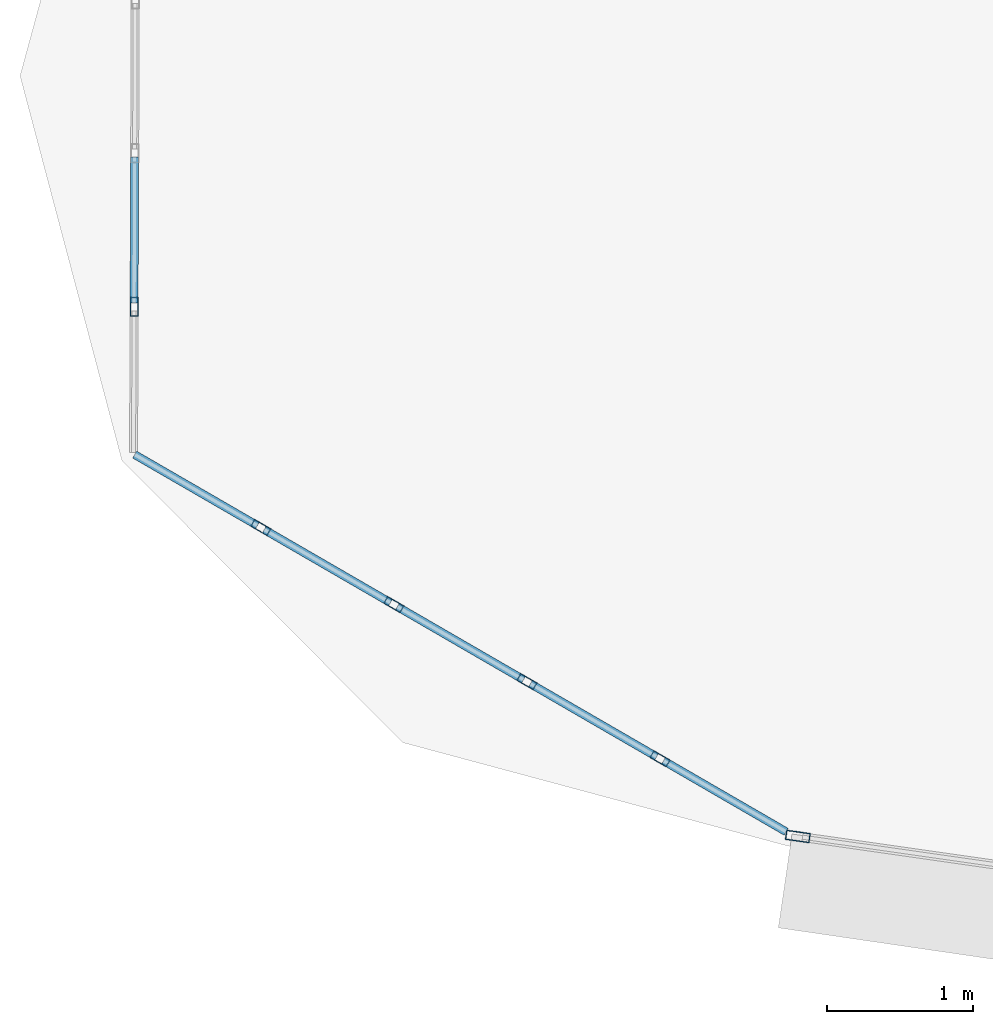
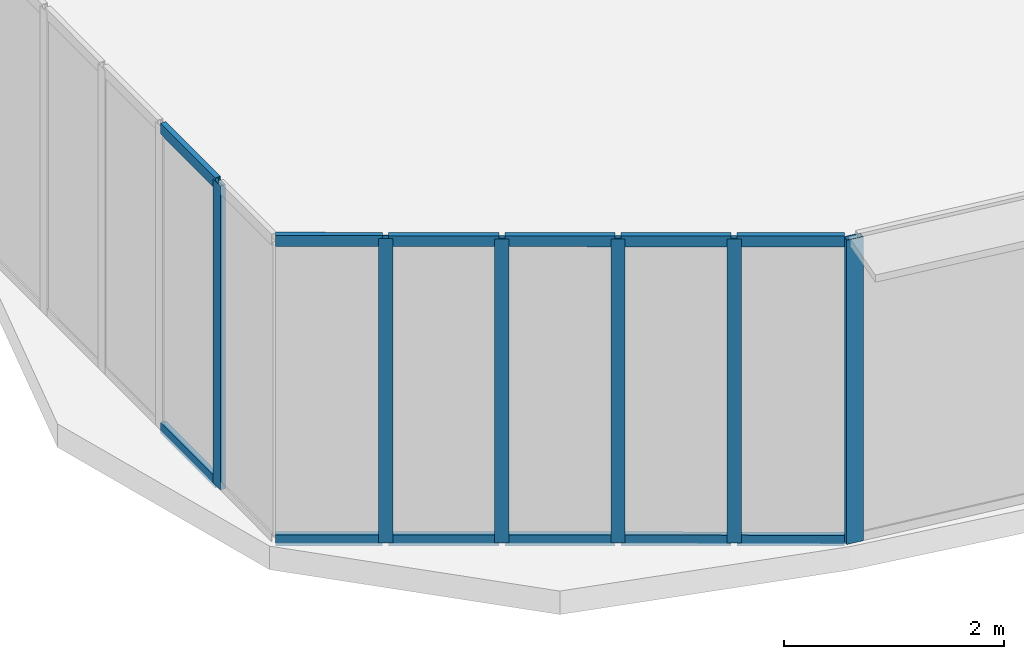
# One storey, part 2 of 41: 18 members, 3 elements without a shape of their own.
"""IFC4 building model written with IfcOpenShell, lengths in metres."""

import ifcopenshell
import ifcopenshell.guid

model = None  # the IFC model being written
_history = None  # IfcOwnerHistory: only IFC2X3 demands one
_inside = {}  # id of a spatial element -> (the spatial element, [elements in it])
_under = {}  # id of a project, library or spatial element -> (it, [spatial elements below it])
_declared = {}  # id of a project -> (the project, [libraries it declares])
_typed = {}  # id of a type object -> (the type object, [elements of that type])
_made_of = {}  # id of a material, layer set ... -> (it, [elements and type objects made of it])


def new_model(schema):
    """Start an empty IFC model of exactly this schema.

    Asked for "IFC4X3", IfcOpenShell would pick the latest addendum, in which some entities
    have other attributes; the version numbers below select the first issue.
    IFC2X3 requires an IfcOwnerHistory on every rooted entity: one is made here for all.
    """
    global model, _history
    if schema == "IFC4X3":
        model = ifcopenshell.file(schema_version=(4, 3, 0, 0))
    else:
        model = ifcopenshell.file(schema=schema)
    _inside.clear()
    _under.clear()
    _declared.clear()
    _typed.clear()
    _made_of.clear()
    _history = None
    if model.schema == "IFC2X3":
        org = make("IfcOrganization", Name="unknown")
        user = make(
            "IfcPersonAndOrganization",
            ThePerson=make("IfcPerson", FamilyName="unknown"),
            TheOrganization=org,
        )
        app = make(
            "IfcApplication",
            ApplicationDeveloper=org,
            Version="unknown",
            ApplicationFullName="unknown",
            ApplicationIdentifier="unknown",
        )
        _history = make(
            "IfcOwnerHistory",
            OwningUser=user,
            OwningApplication=app,
            ChangeAction="ADDED",
            CreationDate=0,
        )
    return model


def make(cls, **values):
    """One entity of the class cls with the attributes given. An attribute that is None is left unset."""
    return model.create_entity(
        cls, **{name: value for name, value in values.items() if value is not None}
    )


def rooted(cls, **values):
    """An entity with a GlobalId (a new one), such as an element, a storey or a relation."""
    return make(cls, GlobalId=ifcopenshell.guid.new(), OwnerHistory=_history, **values)


def si_unit(unit_type, name, prefix=None):
    """IfcSIUnit, for example si_unit("LENGTHUNIT", "METRE", prefix="MILLI")."""
    return make("IfcSIUnit", UnitType=unit_type, Prefix=prefix, Name=name)


def assignment(units):
    """IfcUnitAssignment: the units of a project."""
    return None if units is None else make("IfcUnitAssignment", Units=units)


def point(xyz):
    """IfcCartesianPoint."""
    return None if xyz is None else make("IfcCartesianPoint", Coordinates=xyz)


def direction(xyz):
    """IfcDirection."""
    return None if xyz is None else make("IfcDirection", DirectionRatios=xyz)


def frame(location, z_axis=None, x_axis=None):
    """IfcAxis2Placement3D, a coordinate frame: its origin and axes. An axis left out is left unset."""
    return make(
        "IfcAxis2Placement3D",
        Location=point(location),
        Axis=direction(z_axis),
        RefDirection=direction(x_axis),
    )


def frame_2d(location, x_axis=None):
    """IfcAxis2Placement2D, a coordinate frame in the plane: its origin and x axis."""
    return make(
        "IfcAxis2Placement2D", Location=point(location), RefDirection=direction(x_axis)
    )


def origin():
    """The frame at (0, 0, 0) with its axes left unset."""
    return frame((0.0, 0.0, 0.0))


def origin_2d():
    """The frame at (0, 0) in the plane with its x axis left unset."""
    return frame_2d((0.0, 0.0))


def place(relative_to, where):
    """IfcLocalPlacement: puts the frame where relative to a parent placement (None: the world)."""
    return make(
        "IfcLocalPlacement", PlacementRelTo=relative_to, RelativePlacement=where
    )


def context(
    kind, dimensions, precision=None, world=None, true_north=None, identifier=None
):
    """IfcGeometricRepresentationContext, for example the 3D "Model" context."""
    return make(
        "IfcGeometricRepresentationContext",
        ContextIdentifier=identifier,
        ContextType=kind,
        CoordinateSpaceDimension=dimensions,
        Precision=precision,
        WorldCoordinateSystem=world,
        TrueNorth=true_north,
    )


def subcontext(parent, identifier, kind, view, scale=None):
    """IfcGeometricRepresentationSubContext, for example "Body" below "Model"."""
    return make(
        "IfcGeometricRepresentationSubContext",
        ContextIdentifier=identifier,
        ContextType=kind,
        ParentContext=parent,
        TargetScale=scale,
        TargetView=view,
    )


def project(units=None, contexts=None):
    """IfcProject with its units and contexts."""
    return rooted(
        "IfcProject",
        Name="project",
        RepresentationContexts=contexts,
        UnitsInContext=assignment(units),
    )


def spatial(cls, under=None, at=None, **own):
    """A site, building, storey or space (cls), placed at a placement, below another one or the project."""
    s = rooted(cls, ObjectPlacement=at, **own)
    if under is not None:
        _under.setdefault(under.id(), (under, []))[1].append(s)
    return s


def profile(cls, at=None, kind="AREA", **sizes):
    """A parametric profile (cls). Its sizes go by their IFC names, for example OverallWidth=200.0."""
    return make(cls, ProfileType=kind, Position=at, **sizes)


def hollow_rectangle(**sizes):
    """IfcRectangleHollowProfileDef."""
    return profile("IfcRectangleHollowProfileDef", **sizes)


def extrude(swept, where, along, depth):
    """IfcExtrudedAreaSolid: the profile swept, set in the frame where, extruded along a direction by depth."""
    return make(
        "IfcExtrudedAreaSolid",
        SweptArea=swept,
        Position=where,
        ExtrudedDirection=direction(along),
        Depth=depth,
    )


def shape(context_of_items, identifier, shape_type, items):
    """IfcShapeRepresentation: the items that make up one representation, for example the "Body"."""
    return make(
        "IfcShapeRepresentation",
        ContextOfItems=context_of_items,
        RepresentationIdentifier=identifier,
        RepresentationType=shape_type,
        Items=items,
    )


def source(mapping_origin, context_of_items, identifier, shape_type, items):
    """IfcRepresentationMap: a shape defined once, which mapped items show again and again."""
    return make(
        "IfcRepresentationMap",
        MappingOrigin=mapping_origin,
        MappedRepresentation=shape(context_of_items, identifier, shape_type, items),
    )


def transform(
    local_origin,
    x_axis=None,
    y_axis=None,
    z_axis=None,
    scale=None,
    scale2=None,
    scale3=None,
    uniform=True,
):
    """IfcCartesianTransformationOperator3D, or its non-uniform kind. x_axis, y_axis, z_axis: its Axis1, 2, 3."""
    if uniform:
        return make(
            "IfcCartesianTransformationOperator3D",
            Axis1=direction(x_axis),
            Axis2=direction(y_axis),
            LocalOrigin=point(local_origin),
            Scale=scale,
            Axis3=direction(z_axis),
        )
    return make(
        "IfcCartesianTransformationOperator3DnonUniform",
        Axis1=direction(x_axis),
        Axis2=direction(y_axis),
        LocalOrigin=point(local_origin),
        Scale=scale,
        Axis3=direction(z_axis),
        Scale2=scale2,
        Scale3=scale3,
    )


def mapped(mapping_source, mapping_target):
    """IfcMappedItem: shows the shape of a source again, moved by a transform."""
    return make(
        "IfcMappedItem", MappingSource=mapping_source, MappingTarget=mapping_target
    )


def material(Name=None, Category=None):
    """IfcMaterial."""
    return make("IfcMaterial", Name=Name, Category=Category)


def layer(
    of_material, thickness, ventilated=None, Name=None, Category=None, Priority=None
):
    """IfcMaterialLayer: one layer of a wall or slab, of a material (None: an air gap)."""
    return make(
        "IfcMaterialLayer",
        Material=of_material,
        LayerThickness=thickness,
        IsVentilated=ventilated,
        Name=Name,
        Category=Category,
        Priority=Priority,
    )


def layer_set(layers, Name=None):
    """IfcMaterialLayerSet."""
    return make("IfcMaterialLayerSet", MaterialLayers=layers, LayerSetName=Name)


def material_profile(
    of_material, cross_section, Name=None, Category=None, Priority=None
):
    """IfcMaterialProfile: a cross section and its material."""
    return make(
        "IfcMaterialProfile",
        Name=Name,
        Material=of_material,
        Profile=cross_section,
        Priority=Priority,
        Category=Category,
    )


def profile_set(profiles, Name=None, composite=None):
    """IfcMaterialProfileSet."""
    return make(
        "IfcMaterialProfileSet",
        Name=Name,
        MaterialProfiles=profiles,
        CompositeProfile=composite,
    )


def made_of(thing, what):
    """Note that an element or type object is made of a material, layer set ...; save() writes the relation."""
    if what is not None:
        _made_of.setdefault(what.id(), (what, []))[1].append(thing)
    return thing


def type_object(cls, material=None, **own):
    """A type object (cls), such as IfcWallType, which elements share."""
    return made_of(rooted(cls, **own), material)


def element(
    cls,
    number,
    at=None,
    inside=None,
    cuts=None,
    type_object=None,
    material=None,
    context=None,
    identifier="Body",
    shape_type=None,
    held_by="IfcProductDefinitionShape",
    body=None,
    shapes=None,
    **own,
):
    """One element of the class cls, such as IfcWall. Its Tag is "e" and its number.

    at: its placement. inside: the storey or other place that contains it. cuts: it is an
    opening in that element (IfcRelVoidsElement). A single representation is given by context,
    identifier, shape_type and body (its items); several are given by shapes. held_by: the class
    of the entity that holds the representations. save() writes the other relations.
    """
    e = rooted(cls, Tag="e%d" % number, ObjectPlacement=at, **own)
    if body is not None:
        shapes = [shape(context, identifier, shape_type, body)]
    if shapes is not None:
        e.Representation = make(held_by, Representations=shapes)
    if inside is not None:
        _inside.setdefault(inside.id(), (inside, []))[1].append(e)
    if cuts is not None:
        rooted(
            "IfcRelVoidsElement", RelatingBuildingElement=cuts, RelatedOpeningElement=e
        )
    if type_object is not None:
        _typed.setdefault(type_object.id(), (type_object, []))[1].append(e)
    return made_of(e, material)


def aggregate(whole, parts):
    """IfcRelAggregates: a whole, such as a stair, and the parts it consists of."""
    return rooted("IfcRelAggregates", RelatingObject=whole, RelatedObjects=parts)


def save(model, path):
    """Write the relations noted so far, then the file.

    IfcRelAggregates (storeys below a building ...), IfcRelContainedInSpatialStructure (elements
    in a storey), IfcRelDefinesByType, IfcRelAssociatesMaterial and IfcRelDeclares: one each for
    every whole, place, type object, material and project.
    """
    for whole, parts in _under.values():
        aggregate(whole, parts)
    for where, things in _inside.values():
        rooted(
            "IfcRelContainedInSpatialStructure",
            RelatedElements=things,
            RelatingStructure=where,
        )
    for kind, things in _typed.values():
        rooted("IfcRelDefinesByType", RelatedObjects=things, RelatingType=kind)
    for what, things in _made_of.values():
        rooted("IfcRelAssociatesMaterial", RelatedObjects=things, RelatingMaterial=what)
    for by, libraries in _declared.values():
        rooted("IfcRelDeclares", RelatingContext=by, RelatedDefinitions=libraries)
    model.write(path)


model = new_model("IFC4")

# Units and contexts
model_context = context("Model", 3, precision=1e-05, world=origin(), true_north=direction((0.0, 1.0)))
body_context = subcontext(model_context, "Body", "Model", "MODEL_VIEW")
ifc_project = project(units=[si_unit("LENGTHUNIT", "METRE"), si_unit("AREAUNIT", "SQUARE_METRE"), si_unit("VOLUMEUNIT", "CUBIC_METRE"), si_unit("PLANEANGLEUNIT", "RADIAN"), si_unit("MASSUNIT", "GRAM", prefix="KILO"), si_unit("THERMODYNAMICTEMPERATUREUNIT", "KELVIN"), si_unit("POWERUNIT", "WATT")], contexts=[model_context])

# Site, building, storey
site_placement = place(None, origin())
site = spatial("IfcSite", under=ifc_project, at=site_placement, CompositionType="ELEMENT")
building_placement = place(site_placement, origin())
building = spatial("IfcBuilding", under=site, at=building_placement, Name="Yunzhuo Pagoda Commons", CompositionType="ELEMENT")
storey_placement = place(building_placement, frame((0.0, 0.0, 63.070068359375)))
storey = spatial("IfcBuildingStorey", under=building, at=storey_placement, Name="L16", CompositionType="ELEMENT", Elevation=63.070068359375)

# Curtain wall, member
ifc_material = material(Name="Anodized aluminium 6063-T6", Category="aluminium")
ifc_layer_1 = layer(ifc_material, 0.1650390625)
ifc_layer_set_1 = layer_set([ifc_layer_1], Name="Anodized aluminium 6063-T6")
curtain_wall_type_1 = type_object("IfcCurtainWallType", Name="CW-LOW Low-Zone Ribbon Curtain Wall", PredefinedType="NOTDEFINED", material=ifc_layer_set_1)
curtain_wall_1_placement = place(storey_placement, origin())
curtain_wall_1 = element("IfcCurtainWall", 1, at=curtain_wall_1_placement, inside=storey, type_object=curtain_wall_type_1, Name="L16 curtain wall CW-L16-F1B1", PredefinedType="NOTDEFINED")
ifc_material_profile_1 = material_profile(ifc_material, hollow_rectangle(XDim=0.06494140625, YDim=0.1650390625, WallThickness=0.00390625, at=origin_2d()), Name="Anodized aluminium 6063-T6")
ifc_profile_set_1 = profile_set([ifc_material_profile_1], Name="Anodized aluminium 6063-T6")
member_type_1 = type_object("IfcMemberType", Name="CW-LOW-M Mullion RHS 165x65x4", PredefinedType="MULLION", material=ifc_profile_set_1)
shared_shape_1 = source(origin(), body_context, "Body", "SweptSolid", [
    extrude(hollow_rectangle(XDim=0.06494140625, YDim=0.1650390625, WallThickness=0.00390625, at=origin_2d()), origin(), (0.0, 0.0, 1.0), 3.369873046875),
])
member_1_placement = place(storey_placement, frame((10.0380859375, 14.861083984375, 0.0), z_axis=(0.0, 0.0, 1.0), x_axis=(0.141139872999, 0.989989664719, 0.0)))
member_1 = element("IfcMember", 2, at=member_1_placement, type_object=member_type_1, Name="CW mullion 1", PredefinedType="MULLION", context=body_context, shape_type="MappedRepresentation", body=[
    mapped(shared_shape_1, transform((0.0, 0.0, 0.0), scale=1.0)),
])
aggregate(curtain_wall_1, [member_1])

ifc_layer_2 = layer(ifc_material, 0.1298828125)
ifc_layer_set_2 = layer_set([ifc_layer_2], Name="Anodized aluminium 6063-T6")
curtain_wall_type_2 = type_object("IfcCurtainWallType", Name="CW-VTX Rounded Corner Curtain Wall", PredefinedType="NOTDEFINED", material=ifc_layer_set_2)
curtain_wall_2_placement = place(storey_placement, origin())
curtain_wall_2 = element("IfcCurtainWall", 3, at=curtain_wall_2_placement, inside=storey, type_object=curtain_wall_type_2, Name="L16 curtain wall CW-L16-VTX1S1", PredefinedType="NOTDEFINED")
ifc_material_profile_2 = material_profile(ifc_material, hollow_rectangle(XDim=0.054931640625, YDim=0.1298828125, WallThickness=0.00341796875, at=origin_2d()), Name="Anodized aluminium 6063-T6")
ifc_profile_set_2 = profile_set([ifc_material_profile_2], Name="Anodized aluminium 6063-T6")
member_type_2 = type_object("IfcMemberType", Name="CW-VTX-M Mullion RHS 130x55x3.5", PredefinedType="MULLION", material=ifc_profile_set_2)
shared_shape_2 = source(origin(), body_context, "Body", "SweptSolid", [
    extrude(hollow_rectangle(XDim=0.054931640625, YDim=0.1298828125, WallThickness=0.00341796875, at=origin_2d()), origin(), (0.0, 0.0, 1.0), 3.369873046875),
])
member_2_placement = place(storey_placement, frame((5.48779296875, 18.4912109375, 0.0), z_axis=(0.0, 0.0, 1.0), x_axis=(0.999993571837, -0.003585566294, 0.0)))
member_2 = element("IfcMember", 4, at=member_2_placement, type_object=member_type_2, Name="CW mullion 5", PredefinedType="MULLION", context=body_context, shape_type="MappedRepresentation", body=[
    mapped(shared_shape_2, transform((0.0, 0.0, 0.0), scale=1.0)),
])

# Curtain wall, members
curtain_wall_3_placement = place(storey_placement, origin())
curtain_wall_3 = element("IfcCurtainWall", 5, at=curtain_wall_3_placement, inside=storey, type_object=curtain_wall_type_2, Name="L16 curtain wall CW-L16-VTX1S2", PredefinedType="NOTDEFINED")
member_3_placement = place(storey_placement, frame((6.3564453125, 16.978515625, 0.0), z_axis=(0.0, 0.0, 1.0), x_axis=(0.501038514064, 0.865424986596, 0.0)))
member_3 = element("IfcMember", 6, at=member_3_placement, type_object=member_type_2, Name="CW mullion 2", PredefinedType="MULLION", context=body_context, shape_type="MappedRepresentation", body=[
    mapped(shared_shape_2, transform((0.0, 0.0, 0.0), scale=1.0)),
])
member_4_placement = place(storey_placement, frame((7.268798828125, 16.4501953125, 0.0), z_axis=(0.0, 0.0, 1.0), x_axis=(0.501038514064, 0.865424986596, 0.0)))
member_4 = element("IfcMember", 7, at=member_4_placement, type_object=member_type_2, Name="CW mullion 3", PredefinedType="MULLION", context=body_context, shape_type="MappedRepresentation", body=[
    mapped(shared_shape_2, transform((0.0, 0.0, 0.0), scale=1.0)),
])
member_5_placement = place(storey_placement, frame((8.18115234375, 15.922119140625, 0.0), z_axis=(0.0, 0.0, 1.0), x_axis=(0.501038514064, 0.865424986596, 0.0)))
member_5 = element("IfcMember", 8, at=member_5_placement, type_object=member_type_2, Name="CW mullion 4", PredefinedType="MULLION", context=body_context, shape_type="MappedRepresentation", body=[
    mapped(shared_shape_2, transform((0.0, 0.0, 0.0), scale=1.0)),
])
member_6_placement = place(storey_placement, frame((9.093505859375, 15.393798828125, 0.0), z_axis=(0.0, 0.0, 1.0), x_axis=(0.501038514064, 0.865424986596, 0.0)))
member_6 = element("IfcMember", 9, at=member_6_placement, type_object=member_type_2, Name="CW mullion 5", PredefinedType="MULLION", context=body_context, shape_type="MappedRepresentation", body=[
    mapped(shared_shape_2, transform((0.0, 0.0, 0.0), scale=1.0)),
])
ifc_material_profile_3 = material_profile(ifc_material, hollow_rectangle(XDim=0.054931640625, YDim=0.1201171875, WallThickness=0.00341796875, at=origin_2d()), Name="Anodized aluminium 6063-T6")
ifc_profile_set_3 = profile_set([ifc_material_profile_3], Name="Anodized aluminium 6063-T6")
member_type_3 = type_object("IfcMemberType", Name="CW-VTX-T Transom RHS 120x55x3.5", PredefinedType="USERDEFINED", material=ifc_profile_set_3)
shared_shape_3 = source(origin(), body_context, "Body", "SweptSolid", [
    extrude(hollow_rectangle(XDim=0.054931640625, YDim=0.1201171875, WallThickness=0.00341796875, at=origin_2d()), origin(), (0.0, 0.0, 1.0), 0.9716796875),
])
member_7_placement = place(storey_placement, frame((5.49169921875, 17.47900390625, 0.02734375), z_axis=(0.865586796506, -0.500758921752, 0.0), x_axis=(0.500758921752, 0.865586796506, 0.0)))
member_7 = element("IfcMember", 10, at=member_7_placement, type_object=member_type_3, Name="CW transom 1.1", ObjectType="TRANSOM", PredefinedType="USERDEFINED", context=body_context, shape_type="MappedRepresentation", body=[
    mapped(shared_shape_3, transform((0.0, 0.0, 0.0), scale=1.0)),
])
member_8_placement = place(storey_placement, frame((5.49169921875, 17.47900390625, 3.342529296875), z_axis=(0.865586796506, -0.500758921752, 0.0), x_axis=(0.500758921752, 0.865586796506, 0.0)))
member_8 = element("IfcMember", 11, at=member_8_placement, type_object=member_type_3, Name="CW transom 1.2", ObjectType="TRANSOM", PredefinedType="USERDEFINED", context=body_context, shape_type="MappedRepresentation", body=[
    mapped(shared_shape_3, transform((0.0, 0.0, 0.0), scale=1.0)),
])
member_9_placement = place(storey_placement, frame((9.117431640625, 15.380126953125, 0.02734375), z_axis=(0.865305848027, -0.501244241235, 0.0), x_axis=(0.501244241235, 0.865305848027, 0.0)))
member_9 = element("IfcMember", 12, at=member_9_placement, type_object=member_type_3, Name="CW transom 5.1", ObjectType="TRANSOM", PredefinedType="USERDEFINED", context=body_context, shape_type="MappedRepresentation", body=[
    mapped(shared_shape_3, transform((0.0, 0.0, 0.0), scale=1.0)),
])
member_10_placement = place(storey_placement, frame((9.117431640625, 15.380126953125, 3.342529296875), z_axis=(0.865305848027, -0.501244241235, 0.0), x_axis=(0.501244241235, 0.865305848027, 0.0)))
member_10 = element("IfcMember", 13, at=member_10_placement, type_object=member_type_3, Name="CW transom 5.2", ObjectType="TRANSOM", PredefinedType="USERDEFINED", context=body_context, shape_type="MappedRepresentation", body=[
    mapped(shared_shape_3, transform((0.0, 0.0, 0.0), scale=1.0)),
])

# Member
shared_shape_4 = source(origin(), body_context, "Body", "SweptSolid", [
    extrude(hollow_rectangle(XDim=0.054931640625, YDim=0.1201171875, WallThickness=0.00341796875, at=origin_2d()), origin(), (0.0, 0.0, 1.0), 0.999267578125),
])
member_11_placement = place(storey_placement, frame((5.491455078125, 19.51806640625, 0.02734375), z_axis=(-0.00366476894, -0.999993284712, 0.0), x_axis=(0.999993284712, -0.00366476894, 0.0)))
member_11 = element("IfcMember", 14, at=member_11_placement, type_object=member_type_3, Name="CW transom 4.1", ObjectType="TRANSOM", PredefinedType="USERDEFINED", context=body_context, shape_type="MappedRepresentation", body=[
    mapped(shared_shape_4, transform((0.0, 0.0, 0.0), scale=1.0)),
])

member_12_placement = place(storey_placement, frame((5.491455078125, 19.51806640625, 3.342529296875), z_axis=(-0.00366476894, -0.999993284712, 0.0), x_axis=(0.999993284712, -0.00366476894, 0.0)))
member_12 = element("IfcMember", 15, at=member_12_placement, type_object=member_type_3, Name="CW transom 4.2", ObjectType="TRANSOM", PredefinedType="USERDEFINED", context=body_context, shape_type="MappedRepresentation", body=[
    mapped(shared_shape_4, transform((0.0, 0.0, 0.0), scale=1.0)),
])

aggregate(curtain_wall_2, [member_2, member_11, member_12])

member_13_placement = place(storey_placement, frame((6.380126953125, 16.964599609375, 0.02734375), z_axis=(0.86538725222, -0.501103685574, 0.0), x_axis=(0.501103685574, 0.86538725222, 0.0)))
member_13 = element("IfcMember", 16, at=member_13_placement, type_object=member_type_3, Name="CW transom 2.1", ObjectType="TRANSOM", PredefinedType="USERDEFINED", context=body_context, shape_type="MappedRepresentation", body=[
    mapped(shared_shape_4, transform((0.0, 0.0, 0.0), scale=1.0)),
])

member_14_placement = place(storey_placement, frame((6.380126953125, 16.964599609375, 3.342529296875), z_axis=(0.86538725222, -0.501103685574, 0.0), x_axis=(0.501103685574, 0.86538725222, 0.0)))
member_14 = element("IfcMember", 17, at=member_14_placement, type_object=member_type_3, Name="CW transom 2.2", ObjectType="TRANSOM", PredefinedType="USERDEFINED", context=body_context, shape_type="MappedRepresentation", body=[
    mapped(shared_shape_4, transform((0.0, 0.0, 0.0), scale=1.0)),
])

member_15_placement = place(storey_placement, frame((8.204833984375, 15.908203125, 0.02734375), z_axis=(0.86538725222, -0.501103685574, 0.0), x_axis=(0.501103685574, 0.86538725222, 0.0)))
member_15 = element("IfcMember", 18, at=member_15_placement, type_object=member_type_3, Name="CW transom 4.1", ObjectType="TRANSOM", PredefinedType="USERDEFINED", context=body_context, shape_type="MappedRepresentation", body=[
    mapped(shared_shape_4, transform((0.0, 0.0, 0.0), scale=1.0)),
])

member_16_placement = place(storey_placement, frame((8.204833984375, 15.908203125, 3.342529296875), z_axis=(0.86538725222, -0.501103685574, 0.0), x_axis=(0.501103685574, 0.86538725222, 0.0)))
member_16 = element("IfcMember", 19, at=member_16_placement, type_object=member_type_3, Name="CW transom 4.2", ObjectType="TRANSOM", PredefinedType="USERDEFINED", context=body_context, shape_type="MappedRepresentation", body=[
    mapped(shared_shape_4, transform((0.0, 0.0, 0.0), scale=1.0)),
])

shared_shape_5 = source(origin(), body_context, "Body", "SweptSolid", [
    extrude(hollow_rectangle(XDim=0.054931640625, YDim=0.1201171875, WallThickness=0.00341796875, at=origin_2d()), origin(), (0.0, 0.0, 1.0), 0.9990234375),
])
member_17_placement = place(storey_placement, frame((7.292724609375, 16.4365234375, 0.02734375), z_axis=(0.865325882395, -0.501209653994, 0.0), x_axis=(0.501209653994, 0.865325882395, 0.0)))
member_17 = element("IfcMember", 20, at=member_17_placement, type_object=member_type_3, Name="CW transom 3.1", ObjectType="TRANSOM", PredefinedType="USERDEFINED", context=body_context, shape_type="MappedRepresentation", body=[
    mapped(shared_shape_5, transform((0.0, 0.0, 0.0), scale=1.0)),
])

member_18_placement = place(storey_placement, frame((7.292724609375, 16.4365234375, 3.342529296875), z_axis=(0.865325882395, -0.501209653994, 0.0), x_axis=(0.501209653994, 0.865325882395, 0.0)))
member_18 = element("IfcMember", 21, at=member_18_placement, type_object=member_type_3, Name="CW transom 3.2", ObjectType="TRANSOM", PredefinedType="USERDEFINED", context=body_context, shape_type="MappedRepresentation", body=[
    mapped(shared_shape_5, transform((0.0, 0.0, 0.0), scale=1.0)),
])

aggregate(curtain_wall_3, [member_3, member_4, member_5, member_6, member_7, member_8, member_13, member_14, member_17, member_18, member_15, member_16, member_9, member_10])

save(model, "model.ifc")
